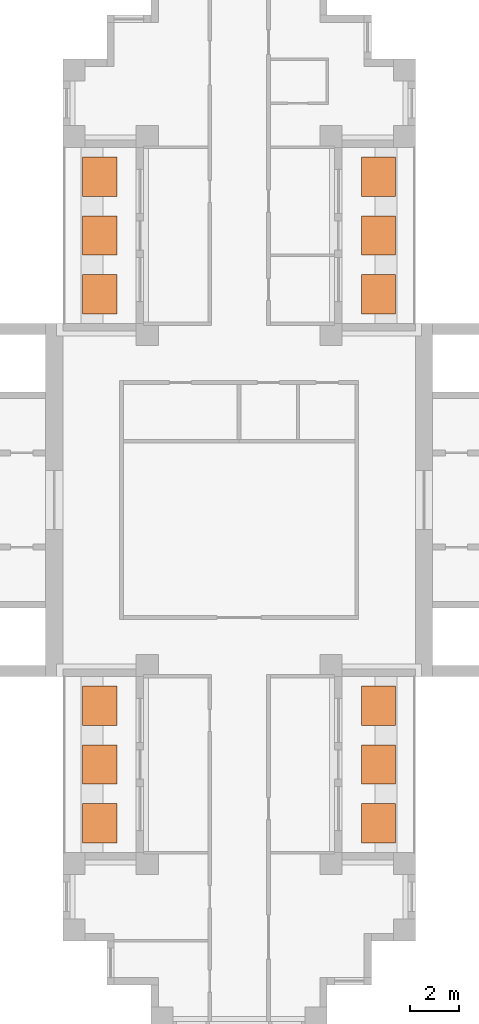
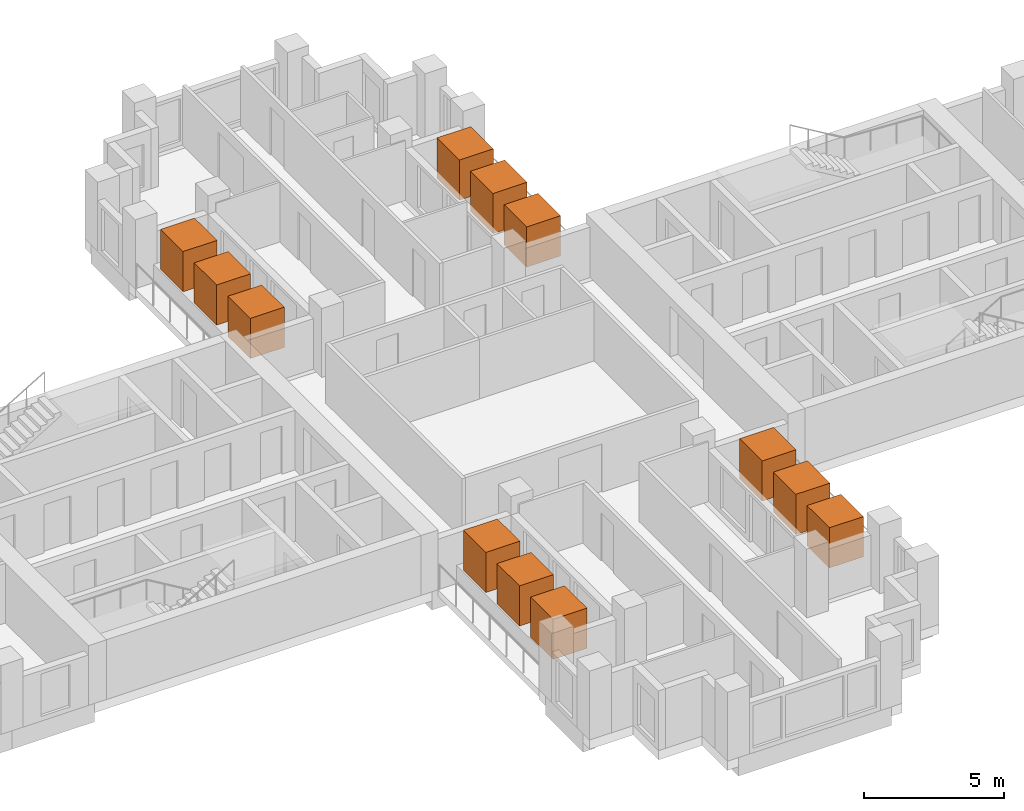
# One storey, part 11 of 11: 12 geographic elements.
"""IFC4 building model written with IfcOpenShell, lengths in metres."""

from ifc_helpers import new_model, si_unit, direction, frame, origin, origin_2d, place, context, subcontext, project, spatial, rectangle, extrude, material, element, save


model = new_model("IFC4")

# Units and contexts
model_context = context("Model", 3, precision=1e-05, world=origin(), true_north=direction((0.0, 1.0)))
body_context = subcontext(model_context, "Body", "Model", "MODEL_VIEW")
ifc_project = project(units=[si_unit("LENGTHUNIT", "METRE"), si_unit("AREAUNIT", "SQUARE_METRE"), si_unit("VOLUMEUNIT", "CUBIC_METRE"), si_unit("PLANEANGLEUNIT", "RADIAN"), si_unit("MASSUNIT", "GRAM", prefix="KILO")], contexts=[model_context])

# Site, building, storey
site_placement = place(None, origin())
site = spatial("IfcSite", under=ifc_project, at=site_placement, CompositionType="ELEMENT")
building_placement = place(site_placement, origin())
building = spatial("IfcBuilding", under=site, at=building_placement, Name="Fustian Cross Tower", CompositionType="ELEMENT")
storey_placement = place(building_placement, frame((0.0, 0.0, 144.300048828125)))
storey = spatial("IfcBuildingStorey", under=building, at=storey_placement, Name="L45", CompositionType="ELEMENT", Elevation=144.300048828125)

# Geographic elements
ifc_material = material(Name="Evergreen foliage")
for number, where, z_axis, x_axis, name in (
    (1, (5.68994140625, 8.39990234375, 0.800048828125), (0.0, 0.0, 1.0), (1.0, 0.0, 0.0), "TREE field maple"),
    (2, (5.68994140625, 10.800048828125, 0.800048828125), (0.0, 0.0, 1.0), (1.0, 0.0, 0.0), "TREE field maple"),
    (3, (5.68994140625, 13.199951171875, 0.800048828125), (0.0, 0.0, 1.0), (1.0, 0.0, 0.0), "TREE field maple"),
    (4, (-5.68994140625, 8.39990234375, 0.800048828125), (0.0, 0.0, 1.0), (1.0, 0.0, 0.0), "TREE field maple"),
    (5, (-5.68994140625, 10.800048828125, 0.800048828125), (0.0, 0.0, 1.0), (1.0, 0.0, 0.0), "TREE field maple"),
    (6, (-5.68994140625, 13.199951171875, 0.800048828125), (0.0, 0.0, 1.0), (1.0, 0.0, 0.0), "TREE field maple"),
    (7, (5.68994140625, -13.199951171875, 0.800048828125), (0.0, 0.0, 1.0), (1.0, 0.0, 0.0), "TREE field maple"),
    (8, (5.68994140625, -10.800048828125, 0.800048828125), (0.0, 0.0, 1.0), (1.0, 0.0, 0.0), "TREE field maple"),
    (9, (5.68994140625, -8.39990234375, 0.800048828125), (0.0, 0.0, 1.0), (1.0, 0.0, 0.0), "TREE field maple"),
    (10, (-5.68994140625, -13.199951171875, 0.800048828125), (0.0, 0.0, 1.0), (1.0, 0.0, 0.0), "TREE field maple"),
    (11, (-5.68994140625, -10.800048828125, 0.800048828125), (0.0, 0.0, 1.0), (1.0, 0.0, 0.0), "TREE field maple"),
    (12, (-5.68994140625, -8.39990234375, 0.800048828125), (0.0, 0.0, 1.0), (1.0, 0.0, 0.0), "TREE field maple"),
):
    element("IfcGeographicElement", number, at=place(storey_placement, frame(where, z_axis=z_axis, x_axis=x_axis)), inside=storey, material=ifc_material, Name=name, ObjectType="VEGETATION", PredefinedType="USERDEFINED", context=body_context, shape_type="SweptSolid", body=[
        extrude(rectangle(XDim=1.39990234375, YDim=1.60009765625, at=origin_2d()), origin(), (0.0, 0.0, 1.0), 1.75),
    ])

save(model, "model.ifc")
